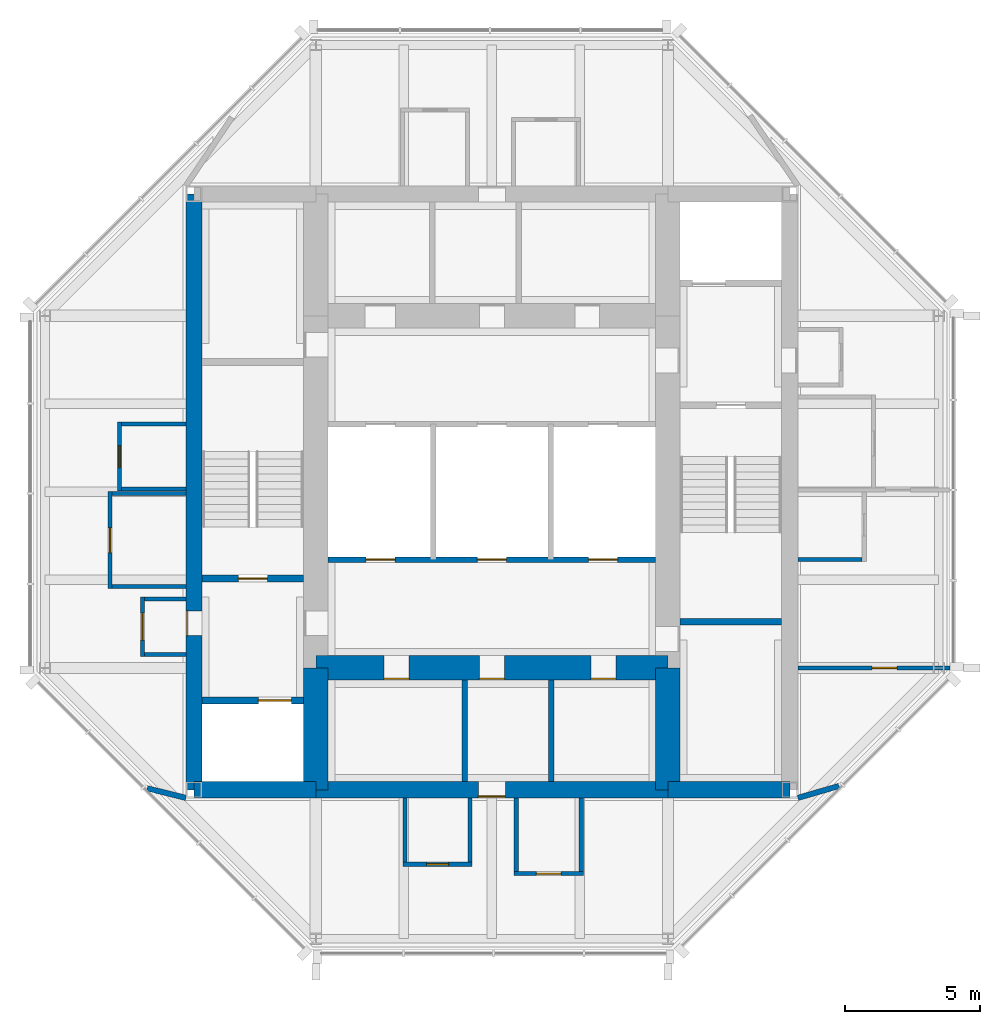
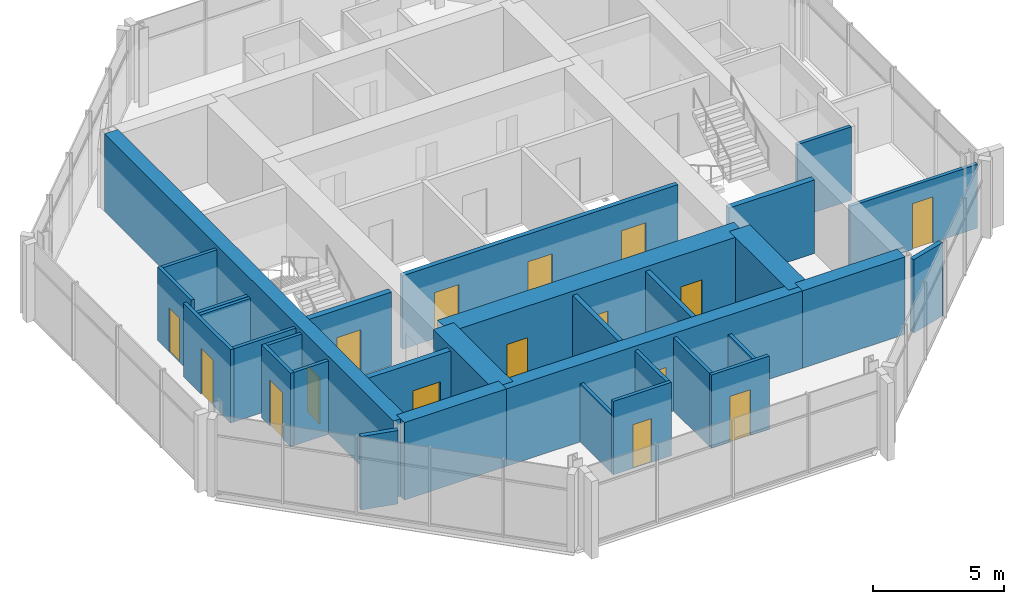
# One storey, part 5 of 8: 32 walls, 16 doors, 16 openings.
"""IFC4 building model written with IfcOpenShell, lengths in metres."""

from ifc_helpers import new_model, si_unit, direction, frame, frame_2d, origin, place, context, subcontext, project, spatial, rectangle, extrude, material, layer, layer_set, type_object, element, fill, save


model = new_model("IFC4")

# Units and contexts
model_context = context("Model", 3, precision=1e-05, world=origin(), true_north=direction((0.0, 1.0)))
body_context = subcontext(model_context, "Body", "Model", "MODEL_VIEW")
ifc_project = project(units=[si_unit("LENGTHUNIT", "METRE"), si_unit("AREAUNIT", "SQUARE_METRE"), si_unit("VOLUMEUNIT", "CUBIC_METRE"), si_unit("PLANEANGLEUNIT", "RADIAN"), si_unit("MASSUNIT", "GRAM", prefix="KILO")], contexts=[model_context])

# Site, building, storey
site_placement = place(None, origin())
site = spatial("IfcSite", under=ifc_project, at=site_placement, CompositionType="ELEMENT")
building_placement = place(site_placement, origin())
building = spatial("IfcBuilding", under=site, at=building_placement, Name="Trevanion Tower", CompositionType="ELEMENT")
storey_placement = place(building_placement, frame((0.0, 0.0, 266.800048828125)))
storey = spatial("IfcBuildingStorey", under=building, at=storey_placement, Name="L65", CompositionType="ELEMENT", Elevation=266.800048828125)

# Wall, opening, door
ifc_material_1 = material(Name="Concrete 10,000 psi", Category="concrete")
ifc_layer_1 = layer(ifc_material_1, 0.60009765625)
ifc_layer_set_1 = layer_set([ifc_layer_1], Name="CW1 core wall 600")
wall_type_1 = type_object("IfcWallType", Name="CW1 core wall 600", PredefinedType="SHEAR", material=ifc_layer_set_1)
wall_1_placement = place(storey_placement, frame((-11.0, 11.0, 0.0), z_axis=(0.0, 0.0, 1.0), x_axis=(0.0, -1.0, 0.0)))
wall_1 = element("IfcWall", 1, at=wall_1_placement, inside=storey, type_object=wall_type_1, Name="CW1 CW L65", PredefinedType="SHEAR", context=body_context, shape_type="SweptSolid", body=[
    extrude(rectangle(XDim=22.0, YDim=0.60009765625, at=frame_2d((11.0, 0.0))), origin(), (0.0, 0.0, 1.0), 3.599853515625),
])
opening_1_placement = place(wall_1_placement, frame((15.392578125, 0.0, 0.0)))
opening_1 = element("IfcOpeningElement", 2, at=opening_1_placement, cuts=wall_1, Name="Opening 65-002", PredefinedType="OPENING", context=body_context, shape_type="SweptSolid", body=[
    extrude(rectangle(XDim=0.9150390625, YDim=2.134033203125, at=frame_2d((0.45751953125, 1.06689453125))), frame((0.0, 0.31005859375, 0.0), z_axis=(0.0, -1.0, 0.0), x_axis=(1.0, 0.0, 0.0)), (0.0, 0.0, 1.0), 0.6201171875),
])
ifc_material_2 = material(Name="Hollow metal, fire rated", Category="steel")
door_type_1 = type_object("IfcDoorType", Name="D3 fire lift lobby door", OperationType="SINGLE_SWING_RIGHT", PredefinedType="DOOR", material=ifc_material_2)
door_1_placement = place(opening_1_placement, origin())
door_1 = element("IfcDoor", 3, at=door_1_placement, inside=storey, type_object=door_type_1, Name="Door 65-002", OperationType="SINGLE_SWING_RIGHT", OverallHeight=2.134033203125, OverallWidth=0.9150390625, PredefinedType="DOOR", context=body_context, shape_type="SweptSolid", body=[
    extrude(rectangle(XDim=0.9150390625, YDim=2.134033203125, at=frame_2d((0.45751953125, 1.06689453125))), frame((0.0, -0.22509765625, 0.0), z_axis=(0.0, -1.0, 0.0), x_axis=(1.0, 0.0, 0.0)), (0.0, 0.0, 1.0), 0.050048828125),
])
fill(opening_1, door_1)

# Wall
wall_2_placement = place(storey_placement, frame((-11.0, -11.0, 0.0), z_axis=(0.0, 0.0, 1.0), x_axis=(1.0, 0.0, 0.0)))
element("IfcWall", 4, at=wall_2_placement, inside=storey, type_object=wall_type_1, Name="CW1 CS1 L65", PredefinedType="SHEAR", context=body_context, shape_type="SweptSolid", body=[
    extrude(rectangle(XDim=4.5, YDim=0.60009765625, at=frame_2d((2.25, 0.0))), origin(), (0.0, 0.0, 1.0), 3.599853515625),
])

# Wall, opening, door
wall_3_placement = place(storey_placement, frame((-6.5, -11.0, 0.0), z_axis=(0.0, 0.0, 1.0), x_axis=(1.0, 0.0, 0.0)))
wall_3 = element("IfcWall", 5, at=wall_3_placement, inside=storey, type_object=wall_type_1, Name="CW1 CS2 L65", PredefinedType="SHEAR", context=body_context, shape_type="SweptSolid", body=[
    extrude(rectangle(XDim=13.0, YDim=0.60009765625, at=frame_2d((6.5, 0.0))), origin(), (0.0, 0.0, 1.0), 3.599853515625),
])
opening_2_placement = place(wall_3_placement, frame((6.0, 0.0, 0.0)))
opening_2 = element("IfcOpeningElement", 6, at=opening_2_placement, cuts=wall_3, Name="Opening 65-022", PredefinedType="OPENING", context=body_context, shape_type="SweptSolid", body=[
    extrude(rectangle(XDim=1.0, YDim=2.134033203125, at=frame_2d((0.5, 1.06689453125))), frame((0.0, 0.31005859375, 0.0), z_axis=(0.0, -1.0, 0.0), x_axis=(1.0, 0.0, 0.0)), (0.0, 0.0, 1.0), 0.6201171875),
])
ifc_material_3 = material(Name="Timber veneer on steel frame, fire rated", Category="steel")
door_type_2 = type_object("IfcDoorType", Name="D13 residence entrance door", OperationType="SINGLE_SWING_RIGHT", PredefinedType="DOOR", material=ifc_material_3)
door_2_placement = place(opening_2_placement, origin())
door_2 = element("IfcDoor", 7, at=door_2_placement, inside=storey, type_object=door_type_2, Name="Door 65-022", OperationType="SINGLE_SWING_RIGHT", OverallHeight=2.134033203125, OverallWidth=1.0, PredefinedType="DOOR", context=body_context, shape_type="SweptSolid", body=[
    extrude(rectangle(XDim=1.0, YDim=2.134033203125, at=frame_2d((0.5, 1.06689453125))), frame((0.0, -0.22509765625, 0.0), z_axis=(0.0, -1.0, 0.0), x_axis=(1.0, 0.0, 0.0)), (0.0, 0.0, 1.0), 0.050048828125),
])
fill(opening_2, door_2)

# Walls
wall_4_placement = place(storey_placement, frame((6.5, -11.0, 0.0), z_axis=(0.0, 0.0, 1.0), x_axis=(1.0, 0.0, 0.0)))
element("IfcWall", 8, at=wall_4_placement, inside=storey, type_object=wall_type_1, Name="CW1 CS3 L65", PredefinedType="SHEAR", context=body_context, shape_type="SweptSolid", body=[
    extrude(rectangle(XDim=4.5, YDim=0.60009765625, at=frame_2d((2.25, 0.0))), origin(), (0.0, 0.0, 1.0), 3.599853515625),
])
ifc_material_4 = material(Name="Concrete 10,000 psi", Category="concrete")
ifc_layer_2 = layer(ifc_material_4, 0.89990234375)
ifc_layer_set_2 = layer_set([ifc_layer_2], Name="CW2 core wall 900")
wall_type_2 = type_object("IfcWallType", Name="CW2 core wall 900", PredefinedType="SHEAR", material=ifc_layer_set_2)
for number, where, z_axis, x_axis, name in (
    (9, (6.5, -11.0, 0.0), (0.0, 0.0, 1.0), (0.0, 1.0, 0.0), "CW2 RE1 L65"),
    (10, (-6.5, -6.5, 0.0), (0.0, 0.0, 1.0), (0.0, -1.0, 0.0), "CW2 RW3 L65"),
):
    element("IfcWall", number, at=place(storey_placement, frame(where, z_axis=z_axis, x_axis=x_axis)), inside=storey, type_object=wall_type_2, Name=name, PredefinedType="SHEAR", context=body_context, shape_type="SweptSolid", body=[
        extrude(rectangle(XDim=4.5, YDim=0.89990234375, at=frame_2d((2.25, 0.0))), origin(), (0.0, 0.0, 1.0), 3.599853515625),
    ])

# Wall, openings, doors
wall_5_placement = place(storey_placement, frame((-6.5, -6.5, 0.0), z_axis=(0.0, 0.0, 1.0), x_axis=(1.0, 0.0, 0.0)))
wall_5 = element("IfcWall", 11, at=wall_5_placement, inside=storey, type_object=wall_type_2, Name="CW2 RS L65", PredefinedType="SHEAR", context=body_context, shape_type="SweptSolid", body=[
    extrude(rectangle(XDim=13.0, YDim=0.89990234375, at=frame_2d((6.5, 0.0))), origin(), (0.0, 0.0, 1.0), 3.599853515625),
])
opening_3_placement = place(wall_5_placement, frame((6.04248046875, 0.0, 0.0)))
opening_3 = element("IfcOpeningElement", 12, at=opening_3_placement, cuts=wall_5, Name="Opening 65-021", PredefinedType="OPENING", context=body_context, shape_type="SweptSolid", body=[
    extrude(rectangle(XDim=0.9150390625, YDim=2.134033203125, at=frame_2d((0.45751953125, 1.06689453125))), frame((0.0, 0.4599609375, 0.0), z_axis=(0.0, -1.0, 0.0), x_axis=(1.0, 0.0, 0.0)), (0.0, 0.0, 1.0), 0.919921875),
])
opening_4_placement = place(wall_5_placement, frame((2.517578125, 0.0, 0.0)))
opening_4 = element("IfcOpeningElement", 13, at=opening_4_placement, cuts=wall_5, Name="Opening 65-023", PredefinedType="OPENING", context=body_context, shape_type="SweptSolid", body=[
    extrude(rectangle(XDim=0.9150390625, YDim=2.134033203125, at=frame_2d((0.45751953125, 1.06689453125))), frame((0.0, 0.4599609375, 0.0), z_axis=(0.0, -1.0, 0.0), x_axis=(1.0, 0.0, 0.0)), (0.0, 0.0, 1.0), 0.919921875),
])
opening_5_placement = place(wall_5_placement, frame((10.16748046875, 0.0, 0.0)))
opening_5 = element("IfcOpeningElement", 14, at=opening_5_placement, cuts=wall_5, Name="Opening 65-024", PredefinedType="OPENING", context=body_context, shape_type="SweptSolid", body=[
    extrude(rectangle(XDim=0.9150390625, YDim=2.134033203125, at=frame_2d((0.45751953125, 1.06689453125))), frame((0.0, 0.4599609375, 0.0), z_axis=(0.0, -1.0, 0.0), x_axis=(1.0, 0.0, 0.0)), (0.0, 0.0, 1.0), 0.919921875),
])
door_3_placement = place(opening_3_placement, origin())
door_3 = element("IfcDoor", 15, at=door_3_placement, inside=storey, type_object=door_type_1, Name="Door 65-021", OperationType="SINGLE_SWING_RIGHT", OverallHeight=2.134033203125, OverallWidth=0.9150390625, PredefinedType="DOOR", context=body_context, shape_type="SweptSolid", body=[
    extrude(rectangle(XDim=0.9150390625, YDim=2.134033203125, at=frame_2d((0.45751953125, 1.06689453125))), frame((0.0, -0.375, 0.0), z_axis=(0.0, -1.0, 0.0), x_axis=(1.0, 0.0, 0.0)), (0.0, 0.0, 1.0), 0.050048828125),
])
fill(opening_3, door_3)
ifc_material_5 = material(Name="Hollow metal, fire rated", Category="steel")
door_type_3 = type_object("IfcDoorType", Name="D5 service room door", OperationType="SINGLE_SWING_RIGHT", PredefinedType="DOOR", material=ifc_material_5)
door_4_placement = place(opening_4_placement, origin())
door_4 = element("IfcDoor", 16, at=door_4_placement, inside=storey, type_object=door_type_3, Name="Door 65-023", OperationType="SINGLE_SWING_RIGHT", OverallHeight=2.134033203125, OverallWidth=0.9150390625, PredefinedType="DOOR", context=body_context, shape_type="SweptSolid", body=[
    extrude(rectangle(XDim=0.9150390625, YDim=2.134033203125, at=frame_2d((0.45751953125, 1.06689453125))), frame((0.0, -0.375, 0.0), z_axis=(0.0, -1.0, 0.0), x_axis=(1.0, 0.0, 0.0)), (0.0, 0.0, 1.0), 0.050048828125),
])
fill(opening_4, door_4)
door_5_placement = place(opening_5_placement, origin())
door_5 = element("IfcDoor", 17, at=door_5_placement, inside=storey, type_object=door_type_3, Name="Door 65-024", OperationType="SINGLE_SWING_RIGHT", OverallHeight=2.134033203125, OverallWidth=0.9150390625, PredefinedType="DOOR", context=body_context, shape_type="SweptSolid", body=[
    extrude(rectangle(XDim=0.9150390625, YDim=2.134033203125, at=frame_2d((0.45751953125, 1.06689453125))), frame((0.0, -0.375, 0.0), z_axis=(0.0, -1.0, 0.0), x_axis=(1.0, 0.0, 0.0)), (0.0, 0.0, 1.0), 0.050048828125),
])
fill(opening_5, door_5)

# Wall, opening, door
ifc_material_6 = material(Name="Gypsum board on steel studs", Category="steel")
ifc_layer_3 = layer(ifc_material_6, 0.14990234375)
ifc_layer_set_3 = layer_set([ifc_layer_3], Name="PT1 partition 150")
wall_type_3 = type_object("IfcWallType", Name="PT1 partition 150", PredefinedType="PARTITIONING", material=ifc_layer_set_3)
wall_6_placement = place(storey_placement, frame((11.300048828125, -6.5, 0.0), z_axis=(0.0, 0.0, 1.0), x_axis=(1.0, 0.0, 0.0)))
wall_6 = element("IfcWall", 18, at=wall_6_placement, inside=storey, type_object=wall_type_3, Name="PT1 L65 REC0", PredefinedType="PARTITIONING", context=body_context, shape_type="SweptSolid", body=[
    extrude(rectangle(XDim=5.614990234375, YDim=0.14990234375, at=frame_2d((2.8076171875, 0.0))), origin(), (0.0, 0.0, 1.0), 2.965576171875),
])
opening_6_placement = place(wall_6_placement, frame((2.742431640625, 0.0, 0.0)))
opening_6 = element("IfcOpeningElement", 19, at=opening_6_placement, cuts=wall_6, Name="Opening 65-028", PredefinedType="OPENING", context=body_context, shape_type="SweptSolid", body=[
    extrude(rectangle(XDim=0.9150390625, YDim=2.134033203125, at=frame_2d((0.45751953125, 1.06689453125))), frame((0.0, 0.0849609375, 0.0), z_axis=(0.0, -1.0, 0.0), x_axis=(1.0, 0.0, 0.0)), (0.0, 0.0, 1.0), 0.169921875),
])
ifc_material_7 = material(Name="Timber veneer, solid core", Category="wood")
door_type_4 = type_object("IfcDoorType", Name="D1 office and meeting room door", OperationType="SINGLE_SWING_LEFT", PredefinedType="DOOR", material=ifc_material_7)
door_6_placement = place(opening_6_placement, origin())
door_6 = element("IfcDoor", 20, at=door_6_placement, inside=storey, type_object=door_type_4, Name="Door 65-028", OperationType="SINGLE_SWING_LEFT", OverallHeight=2.134033203125, OverallWidth=0.9150390625, PredefinedType="DOOR", context=body_context, shape_type="SweptSolid", body=[
    extrude(rectangle(XDim=0.9150390625, YDim=2.134033203125, at=frame_2d((0.45751953125, 1.06689453125))), frame((0.0, 0.02490234375, 0.0), z_axis=(0.0, -1.0, 0.0), x_axis=(1.0, 0.0, 0.0)), (0.0, 0.0, 1.0), 0.050048828125),
])
fill(opening_6, door_6)

# Walls
wall_7_placement = place(storey_placement, frame((11.300048828125, -2.5, 0.0), z_axis=(0.0, 0.0, 1.0), x_axis=(1.0, 0.0, 0.0)))
element("IfcWall", 21, at=wall_7_placement, inside=storey, type_object=wall_type_3, Name="PT1 L65 RETA", PredefinedType="PARTITIONING", context=body_context, shape_type="SweptSolid", body=[
    extrude(rectangle(XDim=2.375, YDim=0.14990234375, at=frame_2d((1.1875, 0.0))), origin(), (0.0, 0.0, 1.0), 3.409912109375),
])
for number, where, z_axis, x_axis, name in (
    (22, (-11.300048828125, -3.949951171875, 0.0), (0.0, 0.0, 1.0), (-1.0, 0.0, 0.0), "PT1 L65 RWEA"),
    (23, (-11.300048828125, -6.0, 0.0), (0.0, 0.0, 1.0), (-1.0, 0.0, 0.0), "PT1 L65 RWEB"),
):
    element("IfcWall", number, at=place(storey_placement, frame(where, z_axis=z_axis, x_axis=x_axis)), inside=storey, type_object=wall_type_3, Name=name, PredefinedType="PARTITIONING", context=body_context, shape_type="SweptSolid", body=[
        extrude(rectangle(XDim=1.52490234375, YDim=0.14990234375, at=frame_2d((0.762451171875, 0.0))), origin(), (0.0, 0.0, 1.0), 3.409912109375),
    ])

# Wall, opening, door
wall_8_placement = place(storey_placement, frame((-14.10009765625, 0.010009765625, 0.0), z_axis=(0.0, 0.0, 1.0), x_axis=(0.0, -1.0, 0.0)))
wall_8 = element("IfcWall", 24, at=wall_8_placement, inside=storey, type_object=wall_type_3, Name="PT1 L65 RWKF", PredefinedType="PARTITIONING", context=body_context, shape_type="SweptSolid", body=[
    extrude(rectangle(XDim=3.5849609375, YDim=0.14990234375, at=frame_2d((1.79248046875, 0.0))), origin(), (0.0, 0.0, 1.0), 3.409912109375),
])
opening_7_placement = place(wall_8_placement, frame((1.3349609375, 0.0, 0.0)))
opening_7 = element("IfcOpeningElement", 25, at=opening_7_placement, cuts=wall_8, Name="Opening 65-033", PredefinedType="OPENING", context=body_context, shape_type="SweptSolid", body=[
    extrude(rectangle(XDim=0.9150390625, YDim=2.134033203125, at=frame_2d((0.45751953125, 1.06689453125))), frame((0.0, 0.0849609375, 0.0), z_axis=(0.0, -1.0, 0.0), x_axis=(1.0, 0.0, 0.0)), (0.0, 0.0, 1.0), 0.169921875),
])
door_7_placement = place(opening_7_placement, origin())
door_7 = element("IfcDoor", 26, at=door_7_placement, inside=storey, type_object=door_type_4, Name="Door 65-033", OperationType="SINGLE_SWING_LEFT", OverallHeight=2.134033203125, OverallWidth=0.9150390625, PredefinedType="DOOR", context=body_context, shape_type="SweptSolid", body=[
    extrude(rectangle(XDim=0.9150390625, YDim=2.134033203125, at=frame_2d((0.45751953125, 1.06689453125))), frame((0.0, 0.02490234375, 0.0), z_axis=(0.0, -1.0, 0.0), x_axis=(1.0, 0.0, 0.0)), (0.0, 0.0, 1.0), 0.050048828125),
])
fill(opening_7, door_7)

# Walls
wall_9_placement = place(storey_placement, frame((-11.300048828125, -0.06494140625, 0.0), z_axis=(0.0, 0.0, 1.0), x_axis=(-1.0, 0.0, 0.0)))
element("IfcWall", 27, at=wall_9_placement, inside=storey, type_object=wall_type_3, Name="PT1 L65 RWKA", PredefinedType="PARTITIONING", context=body_context, shape_type="SweptSolid", body=[
    extrude(rectangle(XDim=2.724853515625, YDim=0.14990234375, at=frame_2d((1.3623046875, 0.0))), origin(), (0.0, 0.0, 1.0), 2.708984375),
])
wall_10_placement = place(storey_placement, frame((-11.300048828125, -3.5, 0.0), z_axis=(0.0, 0.0, 1.0), x_axis=(-1.0, 0.0, 0.0)))
element("IfcWall", 28, at=wall_10_placement, inside=storey, type_object=wall_type_3, Name="PT1 L65 RWKB", PredefinedType="PARTITIONING", context=body_context, shape_type="SweptSolid", body=[
    extrude(rectangle(XDim=2.724853515625, YDim=0.14990234375, at=frame_2d((1.3623046875, 0.0))), origin(), (0.0, 0.0, 1.0), 3.409912109375),
])

# Wall, opening, door
wall_11_placement = place(storey_placement, frame((-13.75, 2.574951171875, 0.0), z_axis=(0.0, 0.0, 1.0), x_axis=(0.0, -1.0, 0.0)))
wall_11 = element("IfcWall", 29, at=wall_11_placement, inside=storey, type_object=wall_type_3, Name="PT1 L65 RWTF", PredefinedType="PARTITIONING", context=body_context, shape_type="SweptSolid", body=[
    extrude(rectangle(XDim=2.550048828125, YDim=0.14990234375, at=frame_2d((1.27490234375, 0.0))), origin(), (0.0, 0.0, 1.0), 3.409912109375),
])
opening_8_placement = place(wall_11_placement, frame((0.868408203125, 0.0, 0.0)))
opening_8 = element("IfcOpeningElement", 30, at=opening_8_placement, cuts=wall_11, Name="Opening 65-034", PredefinedType="OPENING", context=body_context, shape_type="SweptSolid", body=[
    extrude(rectangle(XDim=0.81298828125, YDim=2.031982421875, at=frame_2d((0.406494140625, 1.01611328125))), frame((0.0, 0.0849609375, 0.0), z_axis=(0.0, -1.0, 0.0), x_axis=(1.0, 0.0, 0.0)), (0.0, 0.0, 1.0), 0.169921875),
])
ifc_material_8 = material(Name="Timber veneer", Category="wood")
door_type_5 = type_object("IfcDoorType", Name="D14 residence bathroom door", OperationType="SINGLE_SWING_LEFT", PredefinedType="DOOR", material=ifc_material_8)
door_8_placement = place(opening_8_placement, origin())
door_8 = element("IfcDoor", 31, at=door_8_placement, inside=storey, type_object=door_type_5, Name="Door 65-034", OperationType="SINGLE_SWING_LEFT", OverallHeight=2.031982421875, OverallWidth=0.81298828125, PredefinedType="DOOR", context=body_context, shape_type="SweptSolid", body=[
    extrude(rectangle(XDim=0.81298828125, YDim=2.031982421875, at=frame_2d((0.406494140625, 1.01611328125))), frame((0.0, 0.02490234375, 0.0), z_axis=(0.0, -1.0, 0.0), x_axis=(1.0, 0.0, 0.0)), (0.0, 0.0, 1.0), 0.050048828125),
])
fill(opening_8, door_8)

# Walls
wall_12_placement = place(storey_placement, frame((-11.300048828125, 2.5, 0.0), z_axis=(0.0, 0.0, 1.0), x_axis=(-1.0, 0.0, 0.0)))
element("IfcWall", 32, at=wall_12_placement, inside=storey, type_object=wall_type_3, Name="PT1 L65 RWTA", PredefinedType="PARTITIONING", context=body_context, shape_type="SweptSolid", body=[
    extrude(rectangle(XDim=2.375, YDim=0.14990234375, at=frame_2d((1.1875, 0.0))), origin(), (0.0, 0.0, 1.0), 3.409912109375),
])
wall_13_placement = place(storey_placement, frame((-11.300048828125, 0.10009765625, 0.0), z_axis=(0.0, 0.0, 1.0), x_axis=(-1.0, 0.0, 0.0)))
element("IfcWall", 33, at=wall_13_placement, inside=storey, type_object=wall_type_3, Name="PT1 L65 RWTB", PredefinedType="PARTITIONING", context=body_context, shape_type="SweptSolid", body=[
    extrude(rectangle(XDim=2.375, YDim=0.14990234375, at=frame_2d((1.1875, 0.0))), origin(), (0.0, 0.0, 1.0), 2.708984375),
])

# Wall, opening, door
wall_14_placement = place(storey_placement, frame((0.824951171875, -14.10009765625, 0.0), z_axis=(0.0, 0.0, 1.0), x_axis=(1.0, 0.0, 0.0)))
wall_14 = element("IfcWall", 34, at=wall_14_placement, inside=storey, type_object=wall_type_3, Name="PT1 L65 RSKF", PredefinedType="PARTITIONING", context=body_context, shape_type="SweptSolid", body=[
    extrude(rectangle(XDim=2.550048828125, YDim=0.14990234375, at=frame_2d((1.27490234375, 0.0))), origin(), (0.0, 0.0, 1.0), 3.409912109375),
])
opening_9_placement = place(wall_14_placement, frame((0.8173828125, 0.0, 0.0)))
opening_9 = element("IfcOpeningElement", 35, at=opening_9_placement, cuts=wall_14, Name="Opening 65-035", PredefinedType="OPENING", context=body_context, shape_type="SweptSolid", body=[
    extrude(rectangle(XDim=0.9150390625, YDim=2.134033203125, at=frame_2d((0.45751953125, 1.06689453125))), frame((0.0, 0.0849609375, 0.0), z_axis=(0.0, -1.0, 0.0), x_axis=(1.0, 0.0, 0.0)), (0.0, 0.0, 1.0), 0.169921875),
])
door_9_placement = place(opening_9_placement, origin())
door_9 = element("IfcDoor", 36, at=door_9_placement, inside=storey, type_object=door_type_4, Name="Door 65-035", OperationType="SINGLE_SWING_LEFT", OverallHeight=2.134033203125, OverallWidth=0.9150390625, PredefinedType="DOOR", context=body_context, shape_type="SweptSolid", body=[
    extrude(rectangle(XDim=0.9150390625, YDim=2.134033203125, at=frame_2d((0.45751953125, 1.06689453125))), frame((0.0, 0.02490234375, 0.0), z_axis=(0.0, -1.0, 0.0), x_axis=(1.0, 0.0, 0.0)), (0.0, 0.0, 1.0), 0.050048828125),
])
fill(opening_9, door_9)

# Walls
wall_15_placement = place(storey_placement, frame((0.89990234375, -11.300048828125, 0.0), z_axis=(0.0, 0.0, 1.0), x_axis=(0.0, -1.0, 0.0)))
element("IfcWall", 37, at=wall_15_placement, inside=storey, type_object=wall_type_3, Name="PT1 L65 RSKA", PredefinedType="PARTITIONING", context=body_context, shape_type="SweptSolid", body=[
    extrude(rectangle(XDim=2.724853515625, YDim=0.14990234375, at=frame_2d((1.3623046875, 0.0))), origin(), (0.0, 0.0, 1.0), 3.409912109375),
])
wall_16_placement = place(storey_placement, frame((3.300048828125, -11.300048828125, 0.0), z_axis=(0.0, 0.0, 1.0), x_axis=(0.0, -1.0, 0.0)))
element("IfcWall", 38, at=wall_16_placement, inside=storey, type_object=wall_type_3, Name="PT1 L65 RSKB", PredefinedType="PARTITIONING", context=body_context, shape_type="SweptSolid", body=[
    extrude(rectangle(XDim=2.724853515625, YDim=0.14990234375, at=frame_2d((1.3623046875, 0.0))), origin(), (0.0, 0.0, 1.0), 2.708984375),
])

# Wall, opening, door
wall_17_placement = place(storey_placement, frame((-3.27490234375, -13.75, 0.0), z_axis=(0.0, 0.0, 1.0), x_axis=(1.0, 0.0, 0.0)))
wall_17 = element("IfcWall", 39, at=wall_17_placement, inside=storey, type_object=wall_type_3, Name="PT1 L65 RSTF", PredefinedType="PARTITIONING", context=body_context, shape_type="SweptSolid", body=[
    extrude(rectangle(XDim=2.5498046875, YDim=0.14990234375, at=frame_2d((1.27490234375, 0.0))), origin(), (0.0, 0.0, 1.0), 3.409912109375),
])
opening_10_placement = place(wall_17_placement, frame((0.868408203125, 0.0, 0.0)))
opening_10 = element("IfcOpeningElement", 40, at=opening_10_placement, cuts=wall_17, Name="Opening 65-036", PredefinedType="OPENING", context=body_context, shape_type="SweptSolid", body=[
    extrude(rectangle(XDim=0.81298828125, YDim=2.031982421875, at=frame_2d((0.406494140625, 1.01611328125))), frame((0.0, 0.0849609375, 0.0), z_axis=(0.0, -1.0, 0.0), x_axis=(1.0, 0.0, 0.0)), (0.0, 0.0, 1.0), 0.169921875),
])
door_10_placement = place(opening_10_placement, origin())
door_10 = element("IfcDoor", 41, at=door_10_placement, inside=storey, type_object=door_type_5, Name="Door 65-036", OperationType="SINGLE_SWING_LEFT", OverallHeight=2.031982421875, OverallWidth=0.81298828125, PredefinedType="DOOR", context=body_context, shape_type="SweptSolid", body=[
    extrude(rectangle(XDim=0.81298828125, YDim=2.031982421875, at=frame_2d((0.406494140625, 1.01611328125))), frame((0.0, 0.02490234375, 0.0), z_axis=(0.0, -1.0, 0.0), x_axis=(1.0, 0.0, 0.0)), (0.0, 0.0, 1.0), 0.050048828125),
])
fill(opening_10, door_10)

# Walls
wall_18_placement = place(storey_placement, frame((-3.199951171875, -11.300048828125, 0.0), z_axis=(0.0, 0.0, 1.0), x_axis=(0.0, -1.0, 0.0)))
element("IfcWall", 42, at=wall_18_placement, inside=storey, type_object=wall_type_3, Name="PT1 L65 RSTA", PredefinedType="PARTITIONING", context=body_context, shape_type="SweptSolid", body=[
    extrude(rectangle(XDim=2.375, YDim=0.14990234375, at=frame_2d((1.1875, 0.0))), origin(), (0.0, 0.0, 1.0), 2.708984375),
])
wall_19_placement = place(storey_placement, frame((-0.800048828125, -11.300048828125, 0.0), z_axis=(0.0, 0.0, 1.0), x_axis=(0.0, -1.0, 0.0)))
element("IfcWall", 43, at=wall_19_placement, inside=storey, type_object=wall_type_3, Name="PT1 L65 RSTB", PredefinedType="PARTITIONING", context=body_context, shape_type="SweptSolid", body=[
    extrude(rectangle(XDim=2.375, YDim=0.14990234375, at=frame_2d((1.1875, 0.0))), origin(), (0.0, 0.0, 1.0), 3.409912109375),
])

# Wall, opening, door
ifc_material_9 = material(Name="Gypsum board on steel studs", Category="steel")
ifc_layer_4 = layer(ifc_material_9, 0.14990234375)
ifc_layer_set_4 = layer_set([ifc_layer_4], Name="PT1 partition 150 1 HR")
wall_type_4 = type_object("IfcWallType", Name="PT1 partition 150 1 HR", PredefinedType="PARTITIONING", material=ifc_layer_set_4)
wall_20_placement = place(storey_placement, frame((-12.89990234375, -3.875, 0.0), z_axis=(0.0, 0.0, 1.0), x_axis=(0.0, -1.0, 0.0)))
wall_20 = element("IfcWall", 44, at=wall_20_placement, inside=storey, type_object=wall_type_4, Name="PT1 L65 RWEF", PredefinedType="PARTITIONING", context=body_context, shape_type="SweptSolid", body=[
    extrude(rectangle(XDim=2.199951171875, YDim=0.14990234375, at=frame_2d((1.10009765625, 0.0))), origin(), (0.0, 0.0, 1.0), 3.409912109375),
])
opening_11_placement = place(wall_20_placement, frame((0.60009765625, 0.0, 0.0)))
opening_11 = element("IfcOpeningElement", 45, at=opening_11_placement, cuts=wall_20, Name="Opening 65-032", PredefinedType="OPENING", context=body_context, shape_type="SweptSolid", body=[
    extrude(rectangle(XDim=1.0, YDim=2.134033203125, at=frame_2d((0.5, 1.06689453125))), frame((0.0, 0.0849609375, 0.0), z_axis=(0.0, -1.0, 0.0), x_axis=(1.0, 0.0, 0.0)), (0.0, 0.0, 1.0), 0.169921875),
])
door_11_placement = place(opening_11_placement, origin())
door_11 = element("IfcDoor", 46, at=door_11_placement, inside=storey, type_object=door_type_2, Name="Door 65-032", OperationType="SINGLE_SWING_RIGHT", OverallHeight=2.134033203125, OverallWidth=1.0, PredefinedType="DOOR", context=body_context, shape_type="SweptSolid", body=[
    extrude(rectangle(XDim=1.0, YDim=2.134033203125, at=frame_2d((0.5, 1.06689453125))), frame((0.0, 0.02490234375, 0.0), z_axis=(0.0, -1.0, 0.0), x_axis=(1.0, 0.0, 0.0)), (0.0, 0.0, 1.0), 0.050048828125),
])
fill(opening_11, door_11)

# Wall, openings, doors
ifc_material_10 = material(Name="Concrete masonry, grouted", Category="masonry")
ifc_layer_5 = layer(ifc_material_10, 0.199951171875)
ifc_layer_set_5 = layer_set([ifc_layer_5], Name="PT2 partition 200 1 HR")
wall_type_5 = type_object("IfcWallType", Name="PT2 partition 200 1 HR", PredefinedType="PARTITIONING", material=ifc_layer_set_5)
wall_21_placement = place(storey_placement, frame((6.050048828125, -2.5, 0.0), z_axis=(0.0, 0.0, 1.0), x_axis=(-1.0, 0.0, 0.0)))
wall_21 = element("IfcWall", 47, at=wall_21_placement, inside=storey, type_object=wall_type_5, Name="PT2 L65 CP2", PredefinedType="PARTITIONING", context=body_context, shape_type="SweptSolid", body=[
    extrude(rectangle(XDim=12.10009765625, YDim=0.199951171875, at=frame_2d((6.050048828125, 0.0))), origin(), (0.0, 0.0, 1.0), 3.409912109375),
])
opening_12_placement = place(wall_21_placement, frame((9.624755859375, 0.0, 0.0)))
opening_12 = element("IfcOpeningElement", 48, at=opening_12_placement, cuts=wall_21, Name="Opening 65-012", PredefinedType="OPENING", context=body_context, shape_type="SweptSolid", body=[
    extrude(rectangle(XDim=1.06689453125, YDim=2.134033203125, at=frame_2d((0.533447265625, 1.06689453125))), frame((0.0, 0.10986328125, 0.0), z_axis=(0.0, -1.0, 0.0), x_axis=(1.0, 0.0, 0.0)), (0.0, 0.0, 1.0), 0.219970703125),
])
opening_13_placement = place(wall_21_placement, frame((5.5166015625, 0.0, 0.0)))
opening_13 = element("IfcOpeningElement", 49, at=opening_13_placement, cuts=wall_21, Name="Opening 65-014", PredefinedType="OPENING", context=body_context, shape_type="SweptSolid", body=[
    extrude(rectangle(XDim=1.06689453125, YDim=2.134033203125, at=frame_2d((0.533447265625, 1.06689453125))), frame((0.0, 0.10986328125, 0.0), z_axis=(0.0, -1.0, 0.0), x_axis=(1.0, 0.0, 0.0)), (0.0, 0.0, 1.0), 0.219970703125),
])
opening_14_placement = place(wall_21_placement, frame((1.408203125, 0.0, 0.0)))
opening_14 = element("IfcOpeningElement", 50, at=opening_14_placement, cuts=wall_21, Name="Opening 65-016", PredefinedType="OPENING", context=body_context, shape_type="SweptSolid", body=[
    extrude(rectangle(XDim=1.06689453125, YDim=2.134033203125, at=frame_2d((0.533447265625, 1.06689453125))), frame((0.0, 0.10986328125, 0.0), z_axis=(0.0, -1.0, 0.0), x_axis=(1.0, 0.0, 0.0)), (0.0, 0.0, 1.0), 0.219970703125),
])
ifc_material_11 = material(Name="Stainless steel, fire rated", Category="steel")
door_type_6 = type_object("IfcDoorType", Name="LD1 lift landing door", OperationType="SLIDING_TO_LEFT", PredefinedType="DOOR", material=ifc_material_11)
door_12_placement = place(opening_12_placement, origin())
door_12 = element("IfcDoor", 51, at=door_12_placement, inside=storey, type_object=door_type_6, Name="Door 65-012", OperationType="SLIDING_TO_LEFT", OverallHeight=2.134033203125, OverallWidth=1.06689453125, PredefinedType="DOOR", context=body_context, shape_type="SweptSolid", body=[
    extrude(rectangle(XDim=1.06689453125, YDim=2.134033203125, at=frame_2d((0.533447265625, 1.06689453125))), frame((0.0, 0.02490234375, 0.0), z_axis=(0.0, -1.0, 0.0), x_axis=(1.0, 0.0, 0.0)), (0.0, 0.0, 1.0), 0.050048828125),
])
fill(opening_12, door_12)
door_13_placement = place(opening_13_placement, origin())
door_13 = element("IfcDoor", 52, at=door_13_placement, inside=storey, type_object=door_type_6, Name="Door 65-014", OperationType="SLIDING_TO_LEFT", OverallHeight=2.134033203125, OverallWidth=1.06689453125, PredefinedType="DOOR", context=body_context, shape_type="SweptSolid", body=[
    extrude(rectangle(XDim=1.06689453125, YDim=2.134033203125, at=frame_2d((0.533447265625, 1.06689453125))), frame((0.0, 0.02490234375, 0.0), z_axis=(0.0, -1.0, 0.0), x_axis=(1.0, 0.0, 0.0)), (0.0, 0.0, 1.0), 0.050048828125),
])
fill(opening_13, door_13)
door_14_placement = place(opening_14_placement, origin())
door_14 = element("IfcDoor", 53, at=door_14_placement, inside=storey, type_object=door_type_6, Name="Door 65-016", OperationType="SLIDING_TO_LEFT", OverallHeight=2.134033203125, OverallWidth=1.06689453125, PredefinedType="DOOR", context=body_context, shape_type="SweptSolid", body=[
    extrude(rectangle(XDim=1.06689453125, YDim=2.134033203125, at=frame_2d((0.533447265625, 1.06689453125))), frame((0.0, 0.02490234375, 0.0), z_axis=(0.0, -1.0, 0.0), x_axis=(1.0, 0.0, 0.0)), (0.0, 0.0, 1.0), 0.050048828125),
])
fill(opening_14, door_14)

# Walls
for number, where, z_axis, x_axis, name in (
    (54, (-1.0, -6.949951171875, 0.0), (0.0, 0.0, 1.0), (0.0, -1.0, 0.0), "PT2 L65 CSP1"),
    (55, (2.199951171875, -6.949951171875, 0.0), (0.0, 0.0, 1.0), (0.0, -1.0, 0.0), "PT2 L65 CSP2"),
):
    element("IfcWall", number, at=place(storey_placement, frame(where, z_axis=z_axis, x_axis=x_axis)), inside=storey, type_object=wall_type_5, Name=name, PredefinedType="PARTITIONING", context=body_context, shape_type="SweptSolid", body=[
        extrude(rectangle(XDim=3.75, YDim=0.199951171875, at=frame_2d((1.875, 0.0))), origin(), (0.0, 0.0, 1.0), 3.409912109375),
    ])
wall_22_placement = place(storey_placement, frame((-11.300048828125, -11.300048828125, 0.0), z_axis=(0.0, 0.0, 1.0), x_axis=(-0.970646702169, 0.24050983258, 0.0)))
element("IfcWall", 56, at=wall_22_placement, inside=storey, type_object=wall_type_5, Name="PT2 L65 UB2", PredefinedType="PARTITIONING", context=body_context, shape_type="SweptSolid", body=[
    extrude(rectangle(XDim=1.474853515625, YDim=0.199951171875, at=frame_2d((0.7373046875, 0.0))), origin(), (0.0, 0.0, 1.0), 3.409912109375),
])
wall_23_placement = place(storey_placement, frame((11.300048828125, -11.300048828125, 0.0), z_axis=(0.0, 0.0, 1.0), x_axis=(0.960552344683, 0.278099250491, 0.0)))
element("IfcWall", 57, at=wall_23_placement, inside=storey, type_object=wall_type_5, Name="PT2 L65 UB3", PredefinedType="PARTITIONING", context=body_context, shape_type="SweptSolid", body=[
    extrude(rectangle(XDim=1.583740234375, YDim=0.199951171875, at=frame_2d((0.7919921875, 0.0))), origin(), (0.0, 0.0, 1.0), 3.409912109375),
])

# Wall, opening, door
ifc_material_12 = material(Name="Concrete masonry, grouted, two-hour", Category="masonry")
ifc_layer_6 = layer(ifc_material_12, 0.25)
ifc_layer_set_6 = layer_set([ifc_layer_6], Name="PT3 partition 250 2 HR")
wall_type_6 = type_object("IfcWallType", Name="PT3 partition 250 2 HR", PredefinedType="PARTITIONING", material=ifc_layer_set_6)
wall_24_placement = place(storey_placement, frame((-6.949951171875, -7.699951171875, 0.0), z_axis=(0.0, 0.0, 1.0), x_axis=(-1.0, 0.0, 0.0)))
wall_24 = element("IfcWall", 58, at=wall_24_placement, inside=storey, type_object=wall_type_6, Name="PT3 L65 WP3", PredefinedType="PARTITIONING", context=body_context, shape_type="SweptSolid", body=[
    extrude(rectangle(XDim=3.75, YDim=0.25, at=frame_2d((1.875, 0.0))), origin(), (0.0, 0.0, 1.0), 3.409912109375),
])
opening_15_placement = place(wall_24_placement, frame((0.449951171875, 0.0, 0.0)))
opening_15 = element("IfcOpeningElement", 59, at=opening_15_placement, cuts=wall_24, Name="Opening 65-008", PredefinedType="OPENING", context=body_context, shape_type="SweptSolid", body=[
    extrude(rectangle(XDim=1.218994140625, YDim=2.134033203125, at=frame_2d((0.609375, 1.06689453125))), frame((0.0, 0.135009765625, 0.0), z_axis=(0.0, -1.0, 0.0), x_axis=(1.0, 0.0, 0.0)), (0.0, 0.0, 1.0), 0.27001953125),
])
ifc_material_13 = material(Name="Stainless steel, fire rated", Category="steel")
door_type_7 = type_object("IfcDoorType", Name="LD2 fire service lift landing door", OperationType="SLIDING_TO_LEFT", PredefinedType="DOOR", material=ifc_material_13)
door_15_placement = place(opening_15_placement, origin())
door_15 = element("IfcDoor", 60, at=door_15_placement, inside=storey, type_object=door_type_7, Name="Door 65-008", OperationType="SLIDING_TO_LEFT", OverallHeight=2.134033203125, OverallWidth=1.218994140625, PredefinedType="DOOR", context=body_context, shape_type="SweptSolid", body=[
    extrude(rectangle(XDim=1.218994140625, YDim=2.134033203125, at=frame_2d((0.609375, 1.06689453125))), frame((0.0, 0.02490234375, 0.0), z_axis=(0.0, -1.0, 0.0), x_axis=(1.0, 0.0, 0.0)), (0.0, 0.0, 1.0), 0.050048828125),
])
fill(opening_15, door_15)

# Wall
ifc_material_14 = material(Name="Reinforced masonry, fully grouted", Category="masonry")
ifc_layer_7 = layer(ifc_material_14, 0.25)
ifc_layer_set_7 = layer_set([ifc_layer_7], Name="SW1 stair shaft wall 250")
wall_type_7 = type_object("IfcWallType", Name="SW1 stair shaft wall 250", PredefinedType="SOLIDWALL", material=ifc_layer_set_7)
wall_25_placement = place(storey_placement, frame((6.949951171875, -4.800048828125, 0.0), z_axis=(0.0, 0.0, 1.0), x_axis=(1.0, 0.0, 0.0)))
element("IfcWall", 61, at=wall_25_placement, inside=storey, type_object=wall_type_7, Name="SW1 L65 EP1", PredefinedType="SOLIDWALL", context=body_context, shape_type="SweptSolid", body=[
    extrude(rectangle(XDim=3.75, YDim=0.25, at=frame_2d((1.875, 0.0))), origin(), (0.0, 0.0, 1.0), 3.409912109375),
])

# Wall, opening, door
wall_26_placement = place(storey_placement, frame((-6.949951171875, -3.199951171875, 0.0), z_axis=(0.0, 0.0, 1.0), x_axis=(-1.0, 0.0, 0.0)))
wall_26 = element("IfcWall", 62, at=wall_26_placement, inside=storey, type_object=wall_type_7, Name="SW1 L65 WP2", PredefinedType="SOLIDWALL", context=body_context, shape_type="SweptSolid", body=[
    extrude(rectangle(XDim=3.75, YDim=0.25, at=frame_2d((1.875, 0.0))), origin(), (0.0, 0.0, 1.0), 3.409912109375),
])
opening_16_placement = place(wall_26_placement, frame((1.341552734375, 0.0, 0.0)))
opening_16 = element("IfcOpeningElement", 63, at=opening_16_placement, cuts=wall_26, Name="Opening 65-006", PredefinedType="OPENING", context=body_context, shape_type="SweptSolid", body=[
    extrude(rectangle(XDim=1.06689453125, YDim=2.134033203125, at=frame_2d((0.533447265625, 1.06689453125))), frame((0.0, 0.135009765625, 0.0), z_axis=(0.0, -1.0, 0.0), x_axis=(1.0, 0.0, 0.0)), (0.0, 0.0, 1.0), 0.27001953125),
])
ifc_material_15 = material(Name="Hollow metal, fire rated", Category="steel")
door_type_8 = type_object("IfcDoorType", Name="D2 exit stair door", OperationType="SINGLE_SWING_LEFT", PredefinedType="DOOR", material=ifc_material_15)
door_16_placement = place(opening_16_placement, origin())
door_16 = element("IfcDoor", 64, at=door_16_placement, inside=storey, type_object=door_type_8, Name="Door 65-006", OperationType="SINGLE_SWING_LEFT", OverallHeight=2.134033203125, OverallWidth=1.06689453125, PredefinedType="DOOR", context=body_context, shape_type="SweptSolid", body=[
    extrude(rectangle(XDim=1.06689453125, YDim=2.134033203125, at=frame_2d((0.533447265625, 1.06689453125))), frame((0.0, 0.02490234375, 0.0), z_axis=(0.0, -1.0, 0.0), x_axis=(1.0, 0.0, 0.0)), (0.0, 0.0, 1.0), 0.050048828125),
])
fill(opening_16, door_16)

save(model, "model.ifc")
